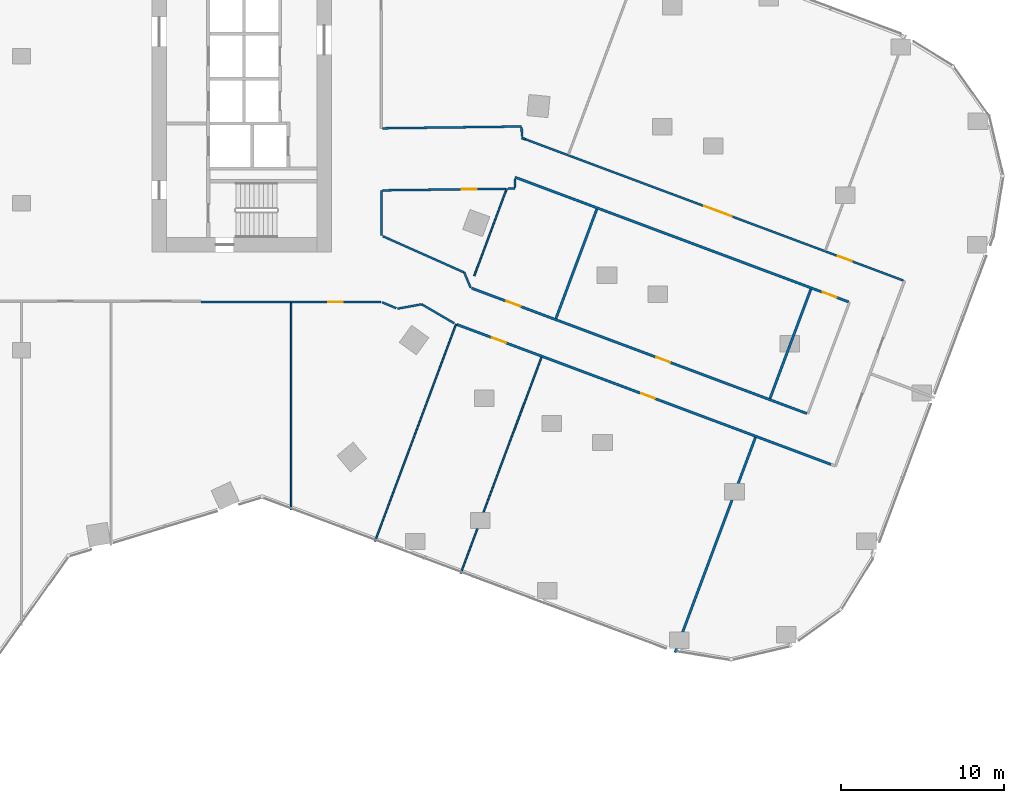
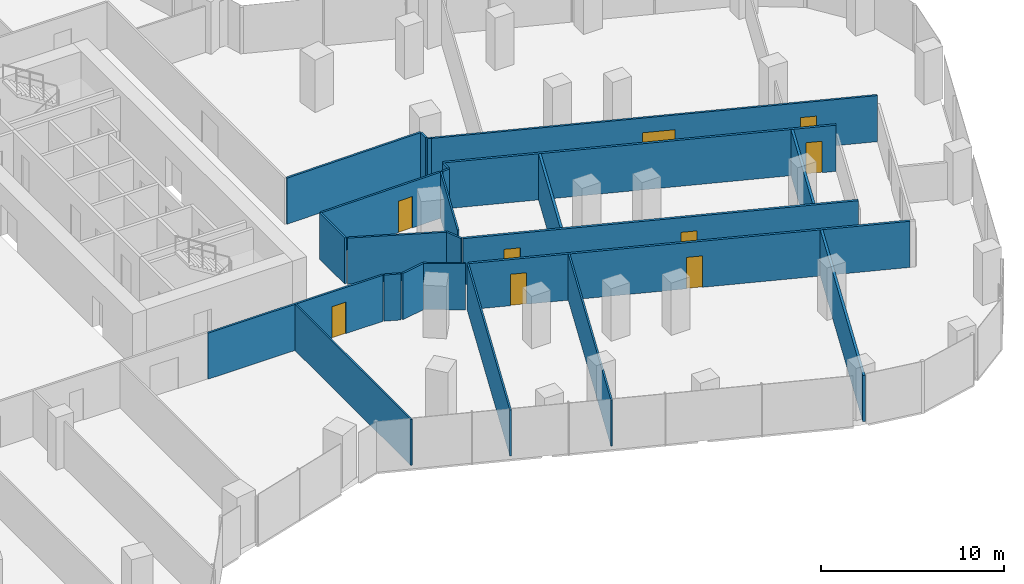
# One storey, part 26 of 31: 24 walls, 9 doors, 9 openings.
"""IFC4 building model written with IfcOpenShell, lengths in metres."""

from ifc_helpers import new_model, si_unit, direction, frame, frame_2d, origin, place, context, subcontext, project, spatial, rectangle, extrude, material, layer, layer_set, type_object, element, fill, save


model = new_model("IFC4")

# Units and contexts
model_context = context("Model", 3, precision=1e-05, world=origin(), true_north=direction((0.0, 1.0)))
body_context = subcontext(model_context, "Body", "Model", "MODEL_VIEW")
ifc_project = project(units=[si_unit("LENGTHUNIT", "METRE"), si_unit("AREAUNIT", "SQUARE_METRE"), si_unit("VOLUMEUNIT", "CUBIC_METRE"), si_unit("PLANEANGLEUNIT", "RADIAN"), si_unit("MASSUNIT", "GRAM", prefix="KILO")], contexts=[model_context])

# Site, building, storey
site_placement = place(None, origin())
site = spatial("IfcSite", under=ifc_project, at=site_placement, CompositionType="ELEMENT")
building_placement = place(site_placement, origin())
building = spatial("IfcBuilding", under=site, at=building_placement, Name="Orlundy Tower", CompositionType="ELEMENT")
storey_placement = place(building_placement, frame((0.0, 0.0, 91.199951171875)))
storey = spatial("IfcBuildingStorey", under=building, at=storey_placement, Name="L22", CompositionType="ELEMENT", Elevation=91.199951171875)

# Walls
ifc_material_1 = material(Name="Gypsum board partition")
ifc_layer_1 = layer(ifc_material_1, 0.10009765625)
ifc_layer_set_1 = layer_set([ifc_layer_1], Name="Floor partition 100")
wall_type_1 = type_object("IfcWallType", Name="Floor partition 100", PredefinedType="PARTITIONING", material=ifc_layer_set_1)
wall_1_placement = place(storey_placement, frame((26.909912109375, -31.679931640625, 0.0), z_axis=(0.0, 0.0, 1.0), x_axis=(0.350179920227, 0.936682456049, 0.0)))
element("IfcWall", 1, at=wall_1_placement, inside=storey, type_object=wall_type_1, Name="wall-int-L22-066", PredefinedType="PARTITIONING", context=body_context, shape_type="SweptSolid", body=[
    extrude(rectangle(XDim=14.124267578125, YDim=0.10009765625, at=frame_2d((7.06201171875, 0.0))), origin(), (0.0, 0.0, 1.0), 3.080078125),
])
wall_2_placement = place(storey_placement, frame((21.657958984375, -29.717041015625, 0.0), z_axis=(0.0, 0.0, 1.0), x_axis=(0.350213245568, 0.936669996652, 0.0)))
element("IfcWall", 2, at=wall_2_placement, inside=storey, type_object=wall_type_1, Name="wall-int-L22-069", PredefinedType="PARTITIONING", context=body_context, shape_type="SweptSolid", body=[
    extrude(rectangle(XDim=14.200439453125, YDim=0.10009765625, at=frame_2d((7.10009765625, 0.0))), origin(), (0.0, 0.0, 1.0), 3.080078125),
])
wall_3_placement = place(storey_placement, frame((27.741943359375, -13.445068359375, 0.0), z_axis=(0.0, 0.0, 1.0), x_axis=(0.350126252707, 0.936702517967, 0.0)))
element("IfcWall", 3, at=wall_3_placement, inside=storey, type_object=wall_type_1, Name="wall-int-L22-070", PredefinedType="PARTITIONING", context=body_context, shape_type="SweptSolid", body=[
    extrude(rectangle(XDim=5.689208984375, YDim=0.10009765625, at=frame_2d((2.8447265625, 0.0))), origin(), (0.0, 0.0, 1.0), 3.080078125),
])
wall_4_placement = place(storey_placement, frame((16.51806640625, -27.794921875, 0.0), z_axis=(0.0, 0.0, 1.0), x_axis=(0.0, 1.0, 0.0)))
element("IfcWall", 4, at=wall_4_placement, inside=storey, type_object=wall_type_1, Name="wall-int-L22-077", PredefinedType="PARTITIONING", context=body_context, shape_type="SweptSolid", body=[
    extrude(rectangle(XDim=12.680908203125, YDim=0.10009765625, at=frame_2d((6.34033203125, 0.0))), origin(), (0.0, 0.0, 1.0), 3.080078125),
])
ifc_material_2 = material(Name="Gypsum board partition, double layer")
ifc_layer_2 = layer(ifc_material_2, 0.125)
ifc_layer_set_2 = layer_set([ifc_layer_2], Name="Floor partition 125")
wall_type_2 = type_object("IfcWallType", Name="Floor partition 125", PredefinedType="PARTITIONING", material=ifc_layer_set_2)
wall_5_placement = place(storey_placement, frame((30.239990234375, -7.514892578125, 0.0), z_axis=(0.0, 0.0, 1.0), x_axis=(0.013301575401, -0.999911530132, 0.0)))
element("IfcWall", 5, at=wall_5_placement, inside=storey, type_object=wall_type_2, Name="wall-int-L22-001", PredefinedType="PARTITIONING", context=body_context, shape_type="SweptSolid", body=[
    extrude(rectangle(XDim=0.5322265625, YDim=0.125, at=frame_2d((0.26611328125, 0.0))), origin(), (0.0, 0.0, 1.0), 3.080078125),
])
wall_6_placement = place(storey_placement, frame((30.64990234375, -4.365966796875, 0.0), z_axis=(0.0, 0.0, 1.0), x_axis=(0.012962701582, -0.999915980654, 0.0)))
element("IfcWall", 6, at=wall_6_placement, inside=storey, type_object=wall_type_2, Name="wall-int-L22-002", PredefinedType="PARTITIONING", context=body_context, shape_type="SweptSolid", body=[
    extrude(rectangle(XDim=0.546142578125, YDim=0.125, at=frame_2d((0.27294921875, 0.0))), origin(), (0.0, 0.0, 1.0), 3.080078125),
])
wall_7_placement = place(storey_placement, frame((24.52099609375, -15.194091796875, 0.0), z_axis=(0.0, 0.0, 1.0), x_axis=(0.863352795858, -0.504600782683, 0.0)))
element("IfcWall", 7, at=wall_7_placement, inside=storey, type_object=wall_type_2, Name="wall-int-L22-006", PredefinedType="PARTITIONING", context=body_context, shape_type="SweptSolid", body=[
    extrude(rectangle(XDim=2.308349609375, YDim=0.125, at=frame_2d((1.154296875, 0.0))), origin(), (0.0, 0.0, 1.0), 3.080078125),
])
wall_8_placement = place(storey_placement, frame((22.962890625, -15.43505859375, 0.0), z_axis=(0.0, 0.0, 1.0), x_axis=(-0.922689792095, 0.385543185082, 0.0)))
element("IfcWall", 8, at=wall_8_placement, inside=storey, type_object=wall_type_2, Name="wall-int-L22-020", PredefinedType="PARTITIONING", context=body_context, shape_type="SweptSolid", body=[
    extrude(rectangle(XDim=0.93408203125, YDim=0.125, at=frame_2d((0.467041015625, 0.0))), origin(), (0.0, 0.0, 1.0), 3.080078125),
])
wall_9_placement = place(storey_placement, frame((27.1298828125, -13.2470703125, 0.0), z_axis=(0.0, 0.0, 1.0), x_axis=(-0.913542302976, 0.406743728498, 0.0)))
element("IfcWall", 9, at=wall_9_placement, inside=storey, type_object=wall_type_2, Name="wall-int-L22-021", PredefinedType="PARTITIONING", context=body_context, shape_type="SweptSolid", body=[
    extrude(rectangle(XDim=5.46337890625, YDim=0.125, at=frame_2d((2.731689453125, 0.0))), origin(), (0.0, 0.0, 1.0), 3.080078125),
])

# Wall, openings, doors
wall_10_placement = place(storey_placement, frame((30.868896484375, -5.08203125, 0.0), z_axis=(0.0, 0.0, 1.0), x_axis=(0.936726175225, -0.350062955264, 0.0)))
wall_10 = element("IfcWall", 10, at=wall_10_placement, inside=storey, type_object=wall_type_2, Name="wall-int-L22-027", PredefinedType="PARTITIONING", context=body_context, shape_type="SweptSolid", body=[
    extrude(rectangle(XDim=24.729736328125, YDim=0.125, at=frame_2d((12.36474609375, 0.0))), origin(), (0.0, 0.0, 1.0), 3.080078125),
])
opening_1_placement = place(wall_10_placement, frame((11.705810546875, 0.0, 0.0)))
opening_1 = element("IfcOpeningElement", 11, at=opening_1_placement, cuts=wall_10, Name="Opening 18100", PredefinedType="OPENING", context=body_context, shape_type="SweptSolid", body=[
    extrude(rectangle(XDim=1.800048828125, YDim=2.10009765625, at=frame_2d((0.89990234375, 1.050048828125))), frame((0.0, 0.072509765625, 0.0), z_axis=(0.0, -1.0, 0.0), x_axis=(1.0, 0.0, 0.0)), (0.0, 0.0, 1.0), 0.14501953125),
])
opening_2_placement = place(wall_10_placement, frame((20.45654296875, 0.0, 0.0)))
opening_2 = element("IfcOpeningElement", 12, at=opening_2_placement, cuts=wall_10, Name="Opening 18104", PredefinedType="OPENING", context=body_context, shape_type="SweptSolid", body=[
    extrude(rectangle(XDim=0.89990234375, YDim=2.10009765625, at=frame_2d((0.449951171875, 1.050048828125))), frame((0.0, 0.072509765625, 0.0), z_axis=(0.0, -1.0, 0.0), x_axis=(1.0, 0.0, 0.0)), (0.0, 0.0, 1.0), 0.14501953125),
])
ifc_material_3 = material(Name="Timber door leaf", Category="wood")
door_type_1 = type_object("IfcDoorType", Name="Floor door double 1800 FD30S", OperationType="NOTDEFINED", PredefinedType="DOOR", material=ifc_material_3)
door_1_placement = place(opening_1_placement, origin())
door_1 = element("IfcDoor", 13, at=door_1_placement, inside=storey, type_object=door_type_1, Name="Door 18100", OperationType="DOUBLE_DOOR_SINGLE_SWING", OverallHeight=2.10009765625, OverallWidth=1.800048828125, PredefinedType="DOOR", context=body_context, shape_type="SweptSolid", body=[
    extrude(rectangle(XDim=1.800048828125, YDim=2.10009765625, at=frame_2d((0.89990234375, 1.050048828125))), frame((0.0, 0.02490234375, 0.0), z_axis=(0.0, -1.0, 0.0), x_axis=(1.0, 0.0, 0.0)), (0.0, 0.0, 1.0), 0.050048828125),
])
fill(opening_1, door_1)
ifc_material_4 = material(Name="Timber door leaf", Category="wood")
door_type_2 = type_object("IfcDoorType", Name="Floor door single 900 FD30S", OperationType="NOTDEFINED", PredefinedType="DOOR", material=ifc_material_4)
door_2_placement = place(opening_2_placement, origin())
door_2 = element("IfcDoor", 14, at=door_2_placement, inside=storey, type_object=door_type_2, Name="Door 18104", OperationType="SINGLE_SWING_RIGHT", OverallHeight=2.10009765625, OverallWidth=0.89990234375, PredefinedType="DOOR", context=body_context, shape_type="SweptSolid", body=[
    extrude(rectangle(XDim=0.89990234375, YDim=2.10009765625, at=frame_2d((0.449951171875, 1.050048828125))), frame((0.0, 0.02490234375, 0.0), z_axis=(0.0, -1.0, 0.0), x_axis=(1.0, 0.0, 0.0)), (0.0, 0.0, 1.0), 0.050048828125),
])
fill(opening_2, door_2)

# Wall
wall_11_placement = place(storey_placement, frame((30.657958984375, -5.0029296875, 0.0), z_axis=(0.0, 0.0, 1.0), x_axis=(0.936329177569, -0.351123441588, 0.0)))
element("IfcWall", 15, at=wall_11_placement, inside=storey, type_object=wall_type_2, Name="wall-int-L22-028", PredefinedType="PARTITIONING", context=body_context, shape_type="SweptSolid", body=[
    extrude(rectangle(XDim=0.225341796875, YDim=0.125, at=frame_2d((0.11279296875, 0.0))), origin(), (0.0, 0.0, 1.0), 3.080078125),
])

# Wall, opening, door
wall_12_placement = place(storey_placement, frame((22.04296875, -15.051025390625, 0.0), z_axis=(0.0, 0.0, 1.0), x_axis=(-1.0, 0.0, 0.0)))
wall_12 = element("IfcWall", 16, at=wall_12_placement, inside=storey, type_object=wall_type_2, Name="wall-int-L22-033", PredefinedType="PARTITIONING", context=body_context, shape_type="SweptSolid", body=[
    extrude(rectangle(XDim=11.052001953125, YDim=0.125, at=frame_2d((5.52587890625, 0.0))), origin(), (0.0, 0.0, 1.0), 3.080078125),
])
opening_3_placement = place(wall_12_placement, frame((2.35009765625, 0.0, 0.0)))
opening_3 = element("IfcOpeningElement", 17, at=opening_3_placement, cuts=wall_12, Name="Opening 18128", PredefinedType="OPENING", context=body_context, shape_type="SweptSolid", body=[
    extrude(rectangle(XDim=0.89990234375, YDim=2.10009765625, at=frame_2d((0.449951171875, 1.050048828125))), frame((0.0, 0.072509765625, 0.0), z_axis=(0.0, -1.0, 0.0), x_axis=(1.0, 0.0, 0.0)), (0.0, 0.0, 1.0), 0.14501953125),
])
door_3_placement = place(opening_3_placement, origin())
door_3 = element("IfcDoor", 18, at=door_3_placement, inside=storey, type_object=door_type_2, Name="Door 18128", OperationType="SINGLE_SWING_LEFT", OverallHeight=2.10009765625, OverallWidth=0.89990234375, PredefinedType="DOOR", context=body_context, shape_type="SweptSolid", body=[
    extrude(rectangle(XDim=0.89990234375, YDim=2.10009765625, at=frame_2d((0.449951171875, 1.050048828125))), frame((0.0, 0.02490234375, 0.0), z_axis=(0.0, -1.0, 0.0), x_axis=(1.0, 0.0, 0.0)), (0.0, 0.0, 1.0), 0.050048828125),
])
fill(opening_3, door_3)

wall_13_placement = place(storey_placement, frame((29.653076171875, -8.118896484375, 0.0), z_axis=(0.0, 0.0, 1.0), x_axis=(-0.999920277631, -0.012626891215, 0.0)))
wall_13 = element("IfcWall", 19, at=wall_13_placement, inside=storey, type_object=wall_type_2, Name="wall-int-L22-042", PredefinedType="PARTITIONING", context=body_context, shape_type="SweptSolid", body=[
    extrude(rectangle(XDim=7.54052734375, YDim=0.125, at=frame_2d((3.770263671875, 0.0))), origin(), (0.0, 0.0, 1.0), 3.080078125),
])
opening_4_placement = place(wall_13_placement, frame((1.769287109375, 0.0, 0.0)))
opening_4 = element("IfcOpeningElement", 20, at=opening_4_placement, cuts=wall_13, Name="Opening 18129", PredefinedType="OPENING", context=body_context, shape_type="SweptSolid", body=[
    extrude(rectangle(XDim=0.89990234375, YDim=2.10009765625, at=frame_2d((0.449951171875, 1.050048828125))), frame((0.0, 0.072509765625, 0.0), z_axis=(0.0, -1.0, 0.0), x_axis=(1.0, 0.0, 0.0)), (0.0, 0.0, 1.0), 0.14501953125),
])
door_4_placement = place(opening_4_placement, origin())
door_4 = element("IfcDoor", 21, at=door_4_placement, inside=storey, type_object=door_type_2, Name="Door 18129", OperationType="SINGLE_SWING_LEFT", OverallHeight=2.10009765625, OverallWidth=0.89990234375, PredefinedType="DOOR", context=body_context, shape_type="SweptSolid", body=[
    extrude(rectangle(XDim=0.89990234375, YDim=2.10009765625, at=frame_2d((0.449951171875, 1.050048828125))), frame((0.0, 0.02490234375, 0.0), z_axis=(0.0, -1.0, 0.0), x_axis=(1.0, 0.0, 0.0)), (0.0, 0.0, 1.0), 0.050048828125),
])
fill(opening_4, door_4)

# Walls
wall_14_placement = place(storey_placement, frame((22.113037109375, -4.4130859375, 0.0), z_axis=(0.0, 0.0, 1.0), x_axis=(0.999916794721, 0.012899753266, 0.0)))
element("IfcWall", 22, at=wall_14_placement, inside=storey, type_object=wall_type_2, Name="wall-int-L22-043", PredefinedType="PARTITIONING", context=body_context, shape_type="SweptSolid", body=[
    extrude(rectangle(XDim=8.53564453125, YDim=0.125, at=frame_2d((4.267822265625, 0.0))), origin(), (0.0, 0.0, 1.0), 3.080078125),
])
wall_15_placement = place(storey_placement, frame((29.81201171875, -8.114990234375, 0.0), z_axis=(0.0, 0.0, 1.0), x_axis=(0.999902045747, 0.013996389218, 0.0)))
element("IfcWall", 23, at=wall_15_placement, inside=storey, type_object=wall_type_2, Name="wall-int-L22-044", PredefinedType="PARTITIONING", context=body_context, shape_type="SweptSolid", body=[
    extrude(rectangle(XDim=0.43603515625, YDim=0.125, at=frame_2d((0.218017578125, 0.0))), origin(), (0.0, 0.0, 1.0), 3.080078125),
])
wall_16_placement = place(storey_placement, frame((23.037109375, -15.465087890625, 0.0), z_axis=(0.0, 0.0, 1.0), x_axis=(0.983729770304, 0.179654499019, 0.0)))
element("IfcWall", 24, at=wall_16_placement, inside=storey, type_object=wall_type_2, Name="wall-int-L22-050", PredefinedType="PARTITIONING", context=body_context, shape_type="SweptSolid", body=[
    extrude(rectangle(XDim=1.508544921875, YDim=0.125, at=frame_2d((0.75439453125, 0.0))), origin(), (0.0, 0.0, 1.0), 3.080078125),
])
wall_17_placement = place(storey_placement, frame((27.52294921875, -14.18701171875, 0.0), z_axis=(0.0, 0.0, 1.0), x_axis=(-0.385806130442, 0.922579877145, 0.0)))
element("IfcWall", 25, at=wall_17_placement, inside=storey, type_object=wall_type_2, Name="wall-int-L22-060", PredefinedType="PARTITIONING", context=body_context, shape_type="SweptSolid", body=[
    extrude(rectangle(XDim=1.018798828125, YDim=0.125, at=frame_2d((0.50927734375, 0.0))), origin(), (0.0, 0.0, 1.0), 3.080078125),
])
wall_18_placement = place(storey_placement, frame((22.051025390625, -10.986083984375, 0.0), z_axis=(0.0, 0.0, 1.0), x_axis=(0.0, 1.0, 0.0)))
element("IfcWall", 26, at=wall_18_placement, inside=storey, type_object=wall_type_2, Name="wall-int-L22-075", PredefinedType="PARTITIONING", context=body_context, shape_type="SweptSolid", body=[
    extrude(rectangle(XDim=2.77099609375, YDim=0.125, at=frame_2d((1.385498046875, 0.0))), origin(), (0.0, 0.0, 1.0), 3.080078125),
])

# Wall, openings, doors
ifc_material_5 = material(Name="Blockwork shaft wall", Category="masonry")
ifc_layer_3 = layer(ifc_material_5, 0.14990234375)
ifc_layer_set_3 = layer_set([ifc_layer_3], Name="Floor shaft wall 150")
wall_type_3 = type_object("IfcWallType", Name="Floor shaft wall 150", PredefinedType="PARTITIONING", material=ifc_layer_set_3)
wall_19_placement = place(storey_placement, frame((49.5849609375, -25.0009765625, 0.0), z_axis=(0.0, 0.0, 1.0), x_axis=(-0.936641004212, 0.350290778111, 0.0)))
wall_19 = element("IfcWall", 27, at=wall_19_placement, inside=storey, type_object=wall_type_3, Name="wall-int-L22-023", PredefinedType="PARTITIONING", context=body_context, shape_type="SweptSolid", body=[
    extrude(rectangle(XDim=24.45654296875, YDim=0.14990234375, at=frame_2d((12.228271484375, 0.0))), origin(), (0.0, 0.0, 1.0), 3.080078125),
])
opening_5_placement = place(wall_19_placement, frame((21.25048828125, 0.0, 0.0)))
opening_5 = element("IfcOpeningElement", 28, at=opening_5_placement, cuts=wall_19, Name="Opening 18107", PredefinedType="OPENING", context=body_context, shape_type="SweptSolid", body=[
    extrude(rectangle(XDim=0.89990234375, YDim=2.10009765625, at=frame_2d((0.449951171875, 1.050048828125))), frame((0.0, 0.0849609375, 0.0), z_axis=(0.0, -1.0, 0.0), x_axis=(1.0, 0.0, 0.0)), (0.0, 0.0, 1.0), 0.169921875),
])
opening_6_placement = place(wall_19_placement, frame((11.5, 0.0, 0.0)))
opening_6 = element("IfcOpeningElement", 29, at=opening_6_placement, cuts=wall_19, Name="Opening 18108", PredefinedType="OPENING", context=body_context, shape_type="SweptSolid", body=[
    extrude(rectangle(XDim=0.89990234375, YDim=2.10009765625, at=frame_2d((0.449951171875, 1.050048828125))), frame((0.0, 0.0849609375, 0.0), z_axis=(0.0, -1.0, 0.0), x_axis=(1.0, 0.0, 0.0)), (0.0, 0.0, 1.0), 0.169921875),
])
ifc_material_6 = material(Name="Timber door leaf", Category="wood")
door_type_3 = type_object("IfcDoorType", Name="Floor door single 900 FD60", OperationType="NOTDEFINED", PredefinedType="DOOR", material=ifc_material_6)
door_5_placement = place(opening_5_placement, origin())
door_5 = element("IfcDoor", 30, at=door_5_placement, inside=storey, type_object=door_type_3, Name="Door 18107", OperationType="SINGLE_SWING_RIGHT", OverallHeight=2.10009765625, OverallWidth=0.89990234375, PredefinedType="DOOR", context=body_context, shape_type="SweptSolid", body=[
    extrude(rectangle(XDim=0.89990234375, YDim=2.10009765625, at=frame_2d((0.449951171875, 1.050048828125))), frame((0.0, 0.02490234375, 0.0), z_axis=(0.0, -1.0, 0.0), x_axis=(1.0, 0.0, 0.0)), (0.0, 0.0, 1.0), 0.050048828125),
])
fill(opening_5, door_5)
door_6_placement = place(opening_6_placement, origin())
door_6 = element("IfcDoor", 31, at=door_6_placement, inside=storey, type_object=door_type_3, Name="Door 18108", OperationType="SINGLE_SWING_LEFT", OverallHeight=2.10009765625, OverallWidth=0.89990234375, PredefinedType="DOOR", context=body_context, shape_type="SweptSolid", body=[
    extrude(rectangle(XDim=0.89990234375, YDim=2.10009765625, at=frame_2d((0.449951171875, 1.050048828125))), frame((0.0, 0.02490234375, 0.0), z_axis=(0.0, -1.0, 0.0), x_axis=(1.0, 0.0, 0.0)), (0.0, 0.0, 1.0), 0.050048828125),
])
fill(opening_6, door_6)

wall_20_placement = place(storey_placement, frame((27.5830078125, -14.208984375, 0.0), z_axis=(0.0, 0.0, 1.0), x_axis=(0.936658709203, -0.350243433164, 0.0)))
wall_20 = element("IfcWall", 32, at=wall_20_placement, inside=storey, type_object=wall_type_3, Name="wall-int-L22-024", PredefinedType="PARTITIONING", context=body_context, shape_type="SweptSolid", body=[
    extrude(rectangle(XDim=21.924560546875, YDim=0.14990234375, at=frame_2d((10.96240234375, 0.0))), origin(), (0.0, 0.0, 1.0), 3.080078125),
])
opening_7_placement = place(wall_20_placement, frame((2.28759765625, 0.0, 0.0)))
opening_7 = element("IfcOpeningElement", 33, at=opening_7_placement, cuts=wall_20, Name="Opening 18101", PredefinedType="OPENING", context=body_context, shape_type="SweptSolid", body=[
    extrude(rectangle(XDim=0.89990234375, YDim=2.10009765625, at=frame_2d((0.449951171875, 1.050048828125))), frame((0.0, 0.0849609375, 0.0), z_axis=(0.0, -1.0, 0.0), x_axis=(1.0, 0.0, 0.0)), (0.0, 0.0, 1.0), 0.169921875),
])
opening_8_placement = place(wall_20_placement, frame((12.088134765625, 0.0, 0.0)))
opening_8 = element("IfcOpeningElement", 34, at=opening_8_placement, cuts=wall_20, Name="Opening 18102", PredefinedType="OPENING", context=body_context, shape_type="SweptSolid", body=[
    extrude(rectangle(XDim=0.89990234375, YDim=2.10009765625, at=frame_2d((0.449951171875, 1.050048828125))), frame((0.0, 0.0849609375, 0.0), z_axis=(0.0, -1.0, 0.0), x_axis=(1.0, 0.0, 0.0)), (0.0, 0.0, 1.0), 0.169921875),
])
door_7_placement = place(opening_7_placement, origin())
door_7 = element("IfcDoor", 35, at=door_7_placement, inside=storey, type_object=door_type_3, Name="Door 18101", OperationType="SINGLE_SWING_LEFT", OverallHeight=2.10009765625, OverallWidth=0.89990234375, PredefinedType="DOOR", context=body_context, shape_type="SweptSolid", body=[
    extrude(rectangle(XDim=0.89990234375, YDim=2.10009765625, at=frame_2d((0.449951171875, 1.050048828125))), frame((0.0, 0.02490234375, 0.0), z_axis=(0.0, -1.0, 0.0), x_axis=(1.0, 0.0, 0.0)), (0.0, 0.0, 1.0), 0.050048828125),
])
fill(opening_7, door_7)
door_8_placement = place(opening_8_placement, origin())
door_8 = element("IfcDoor", 36, at=door_8_placement, inside=storey, type_object=door_type_3, Name="Door 18102", OperationType="SINGLE_SWING_RIGHT", OverallHeight=2.10009765625, OverallWidth=0.89990234375, PredefinedType="DOOR", context=body_context, shape_type="SweptSolid", body=[
    extrude(rectangle(XDim=0.89990234375, YDim=2.10009765625, at=frame_2d((0.449951171875, 1.050048828125))), frame((0.0, 0.02490234375, 0.0), z_axis=(0.0, -1.0, 0.0), x_axis=(1.0, 0.0, 0.0)), (0.0, 0.0, 1.0), 0.050048828125),
])
fill(opening_8, door_8)

# Wall, opening, door
wall_21_placement = place(storey_placement, frame((50.676025390625, -15.049072265625, 0.0), z_axis=(0.0, 0.0, 1.0), x_axis=(-0.936701134279, 0.350129954505, 0.0)))
wall_21 = element("IfcWall", 37, at=wall_21_placement, inside=storey, type_object=wall_type_3, Name="wall-int-L22-026", PredefinedType="PARTITIONING", context=body_context, shape_type="SweptSolid", body=[
    extrude(rectangle(XDim=21.818115234375, YDim=0.14990234375, at=frame_2d((10.9091796875, 0.0))), origin(), (0.0, 0.0, 1.0), 3.080078125),
])
opening_9_placement = place(wall_21_placement, frame((0.78759765625, 0.0, 0.0)))
opening_9 = element("IfcOpeningElement", 38, at=opening_9_placement, cuts=wall_21, Name="Opening 18103", PredefinedType="OPENING", context=body_context, shape_type="SweptSolid", body=[
    extrude(rectangle(XDim=0.89990234375, YDim=2.10009765625, at=frame_2d((0.449951171875, 1.050048828125))), frame((0.0, 0.0849609375, 0.0), z_axis=(0.0, -1.0, 0.0), x_axis=(1.0, 0.0, 0.0)), (0.0, 0.0, 1.0), 0.169921875),
])
door_9_placement = place(opening_9_placement, origin())
door_9 = element("IfcDoor", 39, at=door_9_placement, inside=storey, type_object=door_type_3, Name="Door 18103", OperationType="SINGLE_SWING_LEFT", OverallHeight=2.10009765625, OverallWidth=0.89990234375, PredefinedType="DOOR", context=body_context, shape_type="SweptSolid", body=[
    extrude(rectangle(XDim=0.89990234375, YDim=2.10009765625, at=frame_2d((0.449951171875, 1.050048828125))), frame((0.0, 0.02490234375, 0.0), z_axis=(0.0, -1.0, 0.0), x_axis=(1.0, 0.0, 0.0)), (0.0, 0.0, 1.0), 0.050048828125),
])
fill(opening_9, door_9)

# Walls
wall_22_placement = place(storey_placement, frame((40.0419921875, -36.531982421875, 0.0), z_axis=(0.0, 0.0, 1.0), x_axis=(0.350242868869, 0.936658920209, 0.0)))
element("IfcWall", 40, at=wall_22_placement, inside=storey, type_object=wall_type_3, Name="wall-int-L22-063", PredefinedType="PARTITIONING", context=body_context, shape_type="SweptSolid", body=[
    extrude(rectangle(XDim=14.070068359375, YDim=0.14990234375, at=frame_2d((7.03515625, 0.0))), origin(), (0.0, 0.0, 1.0), 3.080078125),
])
for number, where, z_axis, x_axis, name in (
    (41, (45.863037109375, -20.964111328125, 0.0), (0.0, 0.0, 1.0), (0.35020646324, 0.936672532481, 0.0), "wall-int-L22-064"),
    (42, (32.7490234375, -16.06103515625, 0.0), (0.0, 0.0, 1.0), (0.35020646324, 0.936672532481, 0.0), "wall-int-L22-067"),
):
    element("IfcWall", number, at=place(storey_placement, frame(where, z_axis=z_axis, x_axis=x_axis)), inside=storey, type_object=wall_type_3, Name=name, PredefinedType="PARTITIONING", context=body_context, shape_type="SweptSolid", body=[
        extrude(rectangle(XDim=7.14990234375, YDim=0.14990234375, at=frame_2d((3.574951171875, 0.0))), origin(), (0.0, 0.0, 1.0), 3.080078125),
    ])

save(model, "model.ifc")
